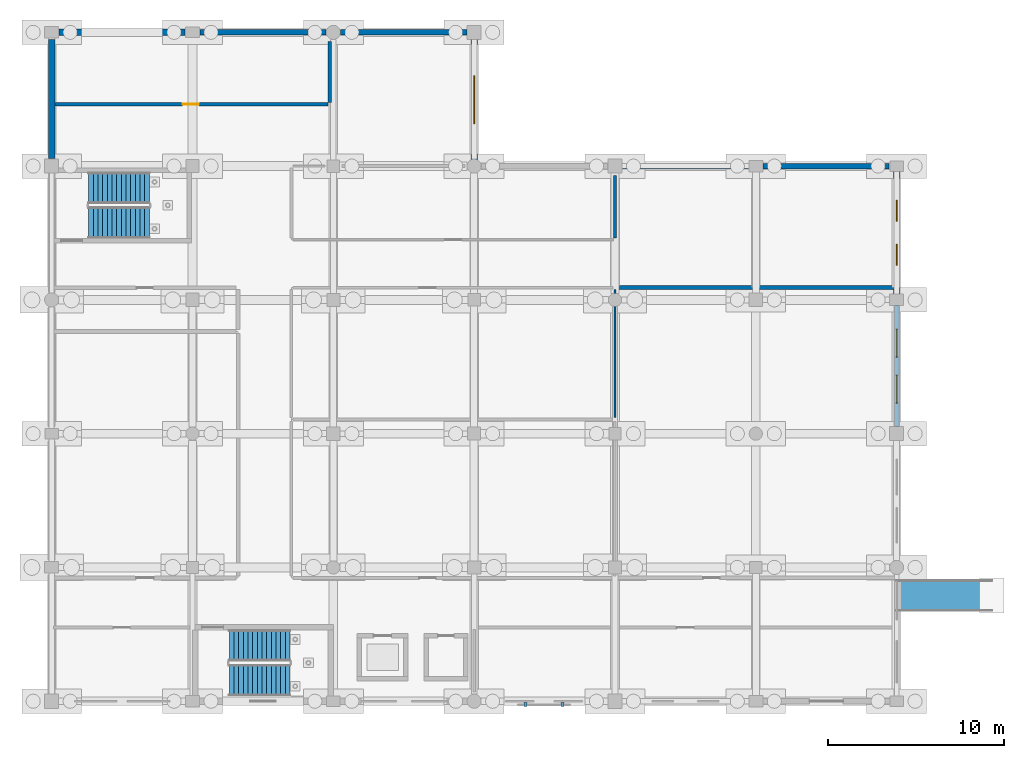
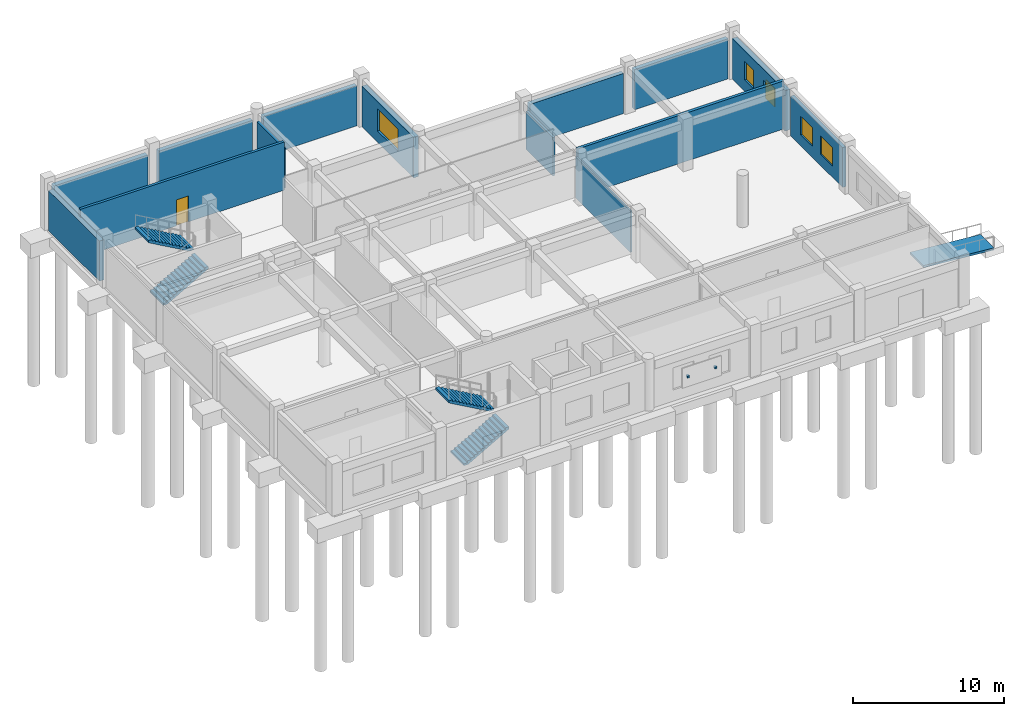
# One storey, part 7 of 11: 14 walls, 5 windows, 4 stair flights, 2 discrete accessories, 1 door, 1 ramp flight, 6 openings, 3 elements without a shape of their own.
"""IFC4 building model written with IfcOpenShell, lengths in metres."""

from ifc_helpers import new_model, si_unit, direction, frame, frame_2d, origin, origin_2d, place, context, subcontext, project, spatial, polyline, rectangle, outline, extrude, material, layer, layer_set, type_object, element, fill, aggregate, save


model = new_model("IFC4")

# Units and contexts
model_context = context("Model", 3, precision=1e-05, world=origin(), true_north=direction((0.0, 1.0)))
body_context = subcontext(model_context, "Body", "Model", "MODEL_VIEW")
ifc_project = project(units=[si_unit("LENGTHUNIT", "METRE"), si_unit("AREAUNIT", "SQUARE_METRE"), si_unit("VOLUMEUNIT", "CUBIC_METRE"), si_unit("PLANEANGLEUNIT", "RADIAN"), si_unit("MASSUNIT", "GRAM", prefix="KILO")], contexts=[model_context])

# Site, building, storey
site_placement = place(None, origin())
site = spatial("IfcSite", under=ifc_project, at=site_placement, CompositionType="ELEMENT")
building_placement = place(site_placement, origin())
building = spatial("IfcBuilding", under=site, at=building_placement, Name="Kharva Crest Polytechnic", CompositionType="ELEMENT")
storey_placement = place(building_placement, frame((0.0, 0.0, -4.199951171875)))
storey = spatial("IfcBuildingStorey", under=building, at=storey_placement, Name="LG", CompositionType="ELEMENT", Elevation=-4.199951171875)

# Wall, openings, windows
ifc_material_1 = material(Name="Kiln brick masonry", Category="masonry")
ifc_layer_1 = layer(ifc_material_1, 0.260009765625, Name="Kiln brick masonry")
ifc_layer_set_1 = layer_set([ifc_layer_1], Name="Kiln brick masonry")
wall_type_1 = type_object("IfcWallType", Name="WL-EXT-BRK-260", PredefinedType="SOLIDWALL", material=ifc_layer_set_1)
wall_1_placement = place(storey_placement, frame((168.800048828125, 15.594970703125, 0.0), z_axis=(0.0, 0.0, 1.0), x_axis=(0.0, 1.0, 0.0)))
wall_1 = element("IfcWall", 1, at=wall_1_placement, inside=storey, type_object=wall_type_1, Name="LG Exterior Brick Wall 10", PredefinedType="SOLIDWALL", context=body_context, shape_type="SweptSolid", body=[
    extrude(rectangle(XDim=6.885009765625, YDim=0.260009765625, at=frame_2d((3.4423828125, 0.0))), origin(), (0.0, 0.0, 1.0), 3.21484375),
])
opening_1_placement = place(wall_1_placement, frame((1.3349609375, 0.0, 0.89990234375)))
opening_1 = element("IfcOpeningElement", 2, at=opening_1_placement, cuts=wall_1, Name="Opening W14", PredefinedType="OPENING", context=body_context, shape_type="SweptSolid", body=[
    extrude(rectangle(XDim=1.60009765625, YDim=1.5, at=frame_2d((0.800048828125, 0.75))), frame((0.0, 0.139892578125, 0.0), z_axis=(0.0, -1.0, 0.0), x_axis=(1.0, 0.0, 0.0)), (0.0, 0.0, 1.0), 0.280029296875),
])
opening_2_placement = place(wall_1_placement, frame((3.949951171875, 0.0, 0.89990234375)))
opening_2 = element("IfcOpeningElement", 3, at=opening_2_placement, cuts=wall_1, Name="Opening W14", PredefinedType="OPENING", context=body_context, shape_type="SweptSolid", body=[
    extrude(rectangle(XDim=1.60009765625, YDim=1.5, at=frame_2d((0.800048828125, 0.75))), frame((0.0, 0.139892578125, 0.0), z_axis=(0.0, -1.0, 0.0), x_axis=(1.0, 0.0, 0.0)), (0.0, 0.0, 1.0), 0.280029296875),
])
ifc_material_2 = material(Name="Anodised aluminium", Category="aluminium")
window_type_1 = type_object("IfcWindowType", Name="WIN-ALU-1600X1500", PartitioningType="SINGLE_PANEL", PredefinedType="WINDOW", material=ifc_material_2)
window_1_placement = place(opening_1_placement, origin())
window_1 = element("IfcWindow", 4, at=window_1_placement, inside=storey, type_object=window_type_1, Name="LG Exterior Window 14", OverallHeight=1.5, OverallWidth=1.60009765625, PartitioningType="SINGLE_PANEL", PredefinedType="WINDOW", context=body_context, shape_type="SweptSolid", body=[
    extrude(rectangle(XDim=1.60009765625, YDim=1.5, at=frame_2d((0.800048828125, 0.75))), frame((0.0, 0.030029296875, 0.0), z_axis=(0.0, -1.0, 0.0), x_axis=(1.0, 0.0, 0.0)), (0.0, 0.0, 1.0), 0.06005859375),
])
fill(opening_1, window_1)
window_2_placement = place(opening_2_placement, origin())
window_2 = element("IfcWindow", 5, at=window_2_placement, inside=storey, type_object=window_type_1, Name="LG Exterior Window 15", OverallHeight=1.5, OverallWidth=1.60009765625, PartitioningType="SINGLE_PANEL", PredefinedType="WINDOW", context=body_context, shape_type="SweptSolid", body=[
    extrude(rectangle(XDim=1.60009765625, YDim=1.5, at=frame_2d((0.800048828125, 0.75))), frame((0.0, 0.030029296875, 0.0), z_axis=(0.0, -1.0, 0.0), x_axis=(1.0, 0.0, 0.0)), (0.0, 0.0, 1.0), 0.06005859375),
])
fill(opening_2, window_2)

# Wall, opening, window
ifc_layer_2 = layer(ifc_material_1, 0.3798828125, Name="Kiln brick masonry")
ifc_layer_set_2 = layer_set([ifc_layer_2], Name="Kiln brick masonry")
wall_type_2 = type_object("IfcWallType", Name="WL-EXT-BRK-380", PredefinedType="SOLIDWALL", material=ifc_layer_set_2)
wall_2_placement = place(storey_placement, frame((144.800048828125, 30.736083984375, 0.0), z_axis=(0.0, 0.0, 1.0), x_axis=(0.0, 1.0, 0.0)))
wall_2 = element("IfcWall", 6, at=wall_2_placement, inside=storey, type_object=wall_type_2, Name="LG Exterior Brick Wall 1", PredefinedType="SOLIDWALL", context=body_context, shape_type="SweptSolid", body=[
    extrude(rectangle(XDim=6.868896484375, YDim=0.3798828125, at=frame_2d((3.4345703125, 0.0))), origin(), (0.0, 0.0, 1.0), 3.27490234375),
])
opening_3_placement = place(wall_2_placement, frame((2.083984375, 0.0, 0.89990234375)))
opening_3 = element("IfcOpeningElement", 7, at=opening_3_placement, cuts=wall_2, Name="Opening W01", PredefinedType="OPENING", context=body_context, shape_type="SweptSolid", body=[
    extrude(rectangle(XDim=2.699951171875, YDim=1.800048828125, at=frame_2d((1.35009765625, 0.89990234375))), frame((0.0, 0.199951171875, 0.0), z_axis=(0.0, -1.0, 0.0), x_axis=(1.0, 0.0, 0.0)), (0.0, 0.0, 1.0), 0.39990234375),
])
window_type_2 = type_object("IfcWindowType", Name="WIN-ALU-2700X1800", PartitioningType="SINGLE_PANEL", PredefinedType="WINDOW", material=ifc_material_2)
window_3_placement = place(opening_3_placement, origin())
window_3 = element("IfcWindow", 8, at=window_3_placement, inside=storey, type_object=window_type_2, Name="LG Exterior Window 1", OverallHeight=1.800048828125, OverallWidth=2.699951171875, PartitioningType="SINGLE_PANEL", PredefinedType="WINDOW", context=body_context, shape_type="SweptSolid", body=[
    extrude(rectangle(XDim=2.699951171875, YDim=1.800048828125, at=frame_2d((1.35009765625, 0.89990234375))), frame((0.0, 0.030029296875, 0.0), z_axis=(0.0, -1.0, 0.0), x_axis=(1.0, 0.0, 0.0)), (0.0, 0.0, 1.0), 0.06005859375),
])
fill(opening_3, window_3)

# Wall, openings, windows
wall_3_placement = place(storey_placement, frame((168.800048828125, 23.1201171875, 0.0), z_axis=(0.0, 0.0, 1.0), x_axis=(0.0, 1.0, 0.0)))
wall_3 = element("IfcWall", 9, at=wall_3_placement, inside=storey, type_object=wall_type_2, Name="LG Exterior Brick Wall 11", PredefinedType="SOLIDWALL", context=body_context, shape_type="SweptSolid", body=[
    extrude(rectangle(XDim=6.98486328125, YDim=0.3798828125, at=frame_2d((3.492431640625, 0.0))), origin(), (0.0, 0.0, 1.0), 3.27490234375),
])
opening_4_placement = place(wall_3_placement, frame((1.635009765625, 0.0, 0.89990234375)))
opening_4 = element("IfcOpeningElement", 10, at=opening_4_placement, cuts=wall_3, Name="Opening W16", PredefinedType="OPENING", context=body_context, shape_type="SweptSolid", body=[
    extrude(rectangle(XDim=1.199951171875, YDim=1.5, at=frame_2d((0.60009765625, 0.75))), frame((0.0, 0.199951171875, 0.0), z_axis=(0.0, -1.0, 0.0), x_axis=(1.0, 0.0, 0.0)), (0.0, 0.0, 1.0), 0.39990234375),
])
opening_5_placement = place(wall_3_placement, frame((4.14990234375, 0.0, 0.89990234375)))
opening_5 = element("IfcOpeningElement", 11, at=opening_5_placement, cuts=wall_3, Name="Opening W16", PredefinedType="OPENING", context=body_context, shape_type="SweptSolid", body=[
    extrude(rectangle(XDim=1.199951171875, YDim=1.5, at=frame_2d((0.60009765625, 0.75))), frame((0.0, 0.199951171875, 0.0), z_axis=(0.0, -1.0, 0.0), x_axis=(1.0, 0.0, 0.0)), (0.0, 0.0, 1.0), 0.39990234375),
])
window_type_3 = type_object("IfcWindowType", Name="WIN-ALU-1200X1500", PartitioningType="SINGLE_PANEL", PredefinedType="WINDOW", material=ifc_material_2)
window_4_placement = place(opening_4_placement, origin())
window_4 = element("IfcWindow", 12, at=window_4_placement, inside=storey, type_object=window_type_3, Name="LG Exterior Window 16", OverallHeight=1.5, OverallWidth=1.199951171875, PartitioningType="SINGLE_PANEL", PredefinedType="WINDOW", context=body_context, shape_type="SweptSolid", body=[
    extrude(rectangle(XDim=1.199951171875, YDim=1.5, at=frame_2d((0.60009765625, 0.75))), frame((0.0, 0.030029296875, 0.0), z_axis=(0.0, -1.0, 0.0), x_axis=(1.0, 0.0, 0.0)), (0.0, 0.0, 1.0), 0.06005859375),
])
fill(opening_4, window_4)
window_5_placement = place(opening_5_placement, origin())
window_5 = element("IfcWindow", 13, at=window_5_placement, inside=storey, type_object=window_type_3, Name="LG Exterior Window 17", OverallHeight=1.5, OverallWidth=1.199951171875, PartitioningType="SINGLE_PANEL", PredefinedType="WINDOW", context=body_context, shape_type="SweptSolid", body=[
    extrude(rectangle(XDim=1.199951171875, YDim=1.5, at=frame_2d((0.60009765625, 0.75))), frame((0.0, 0.030029296875, 0.0), z_axis=(0.0, -1.0, 0.0), x_axis=(1.0, 0.0, 0.0)), (0.0, 0.0, 1.0), 0.06005859375),
])
fill(opening_5, window_5)

# Wall, opening, door
ifc_layer_3 = layer(ifc_material_1, 0.199951171875, Name="Kiln brick masonry")
ifc_layer_set_3 = layer_set([ifc_layer_3], Name="Kiln brick masonry")
wall_type_3 = type_object("IfcWallType", Name="WL-FIRE-FW1-200", PredefinedType="SOLIDWALL", material=ifc_layer_set_3)
wall_4_placement = place(storey_placement, frame((120.909912109375, 33.909912109375, 0.0), z_axis=(0.0, 0.0, 1.0), x_axis=(1.0, 0.0, 0.0)))
wall_4 = element("IfcWall", 14, at=wall_4_placement, inside=storey, type_object=wall_type_3, Name="LG Interior Partition 9", PredefinedType="SOLIDWALL", context=body_context, shape_type="SweptSolid", body=[
    extrude(rectangle(XDim=15.580078125, YDim=0.199951171875, at=frame_2d((7.7900390625, 0.0))), origin(), (0.0, 0.0, 1.0), 3.89990234375),
])
opening_6_placement = place(wall_4_placement, frame((7.330078125, 0.0, 0.0)))
opening_6 = element("IfcOpeningElement", 15, at=opening_6_placement, cuts=wall_4, Name="Opening ID16", PredefinedType="OPENING", context=body_context, shape_type="SweptSolid", body=[
    extrude(rectangle(XDim=0.919921875, YDim=2.10009765625, at=frame_2d((0.4599609375, 1.050048828125))), frame((0.0, 0.10986328125, 0.0), z_axis=(0.0, -1.0, 0.0), x_axis=(1.0, 0.0, 0.0)), (0.0, 0.0, 1.0), 0.219970703125),
])
ifc_material_3 = material(Name="Teak timber", Category="wood")
door_type = type_object("IfcDoorType", Name="DR-STR-920X2100", OperationType="NOTDEFINED", PredefinedType="DOOR", material=ifc_material_3)
door_placement = place(opening_6_placement, origin())
door = element("IfcDoor", 16, at=door_placement, inside=storey, type_object=door_type, Name="LG Electrical Substation Door", OperationType="SINGLE_SWING_RIGHT", OverallHeight=2.10009765625, OverallWidth=0.919921875, PredefinedType="DOOR", context=body_context, shape_type="SweptSolid", body=[
    extrude(rectangle(XDim=0.919921875, YDim=2.10009765625, at=frame_2d((0.4599609375, 1.050048828125))), frame((0.0, 0.02490234375, 0.0), z_axis=(0.0, -1.0, 0.0), x_axis=(1.0, 0.0, 0.0)), (0.0, 0.0, 1.0), 0.050048828125),
])
fill(opening_6, door)

# Walls
ifc_layer_4 = layer(ifc_material_1, 0.110107421875, Name="Kiln brick masonry")
ifc_layer_set_4 = layer_set([ifc_layer_4], Name="Kiln brick masonry")
wall_type_4 = type_object("IfcWallType", Name="WL-PART-110", PredefinedType="PARTITIONING", material=ifc_layer_set_4)
wall_5_placement = place(storey_placement, frame((152.800048828125, 16.1201171875, 0.0), z_axis=(0.0, 0.0, 1.0), x_axis=(0.0, 1.0, 0.0)))
element("IfcWall", 17, at=wall_5_placement, inside=storey, type_object=wall_type_4, Name="LG Interior Partition 17", PredefinedType="PARTITIONING", context=body_context, shape_type="SweptSolid", body=[
    extrude(rectangle(XDim=7.259765625, YDim=0.110107421875, at=frame_2d((3.6298828125, 0.0))), origin(), (0.0, 0.0, 1.0), 3.344970703125),
])
ifc_layer_5 = layer(ifc_material_1, 0.159912109375, Name="Kiln brick masonry")
ifc_layer_set_5 = layer_set([ifc_layer_5], Name="Kiln brick masonry")
wall_type_5 = type_object("IfcWallType", Name="WL-PART-160", PredefinedType="PARTITIONING", material=ifc_layer_set_5)
wall_6_placement = place(storey_placement, frame((152.800048828125, 26.320068359375, 0.0), z_axis=(0.0, 0.0, 1.0), x_axis=(0.0, 1.0, 0.0)))
element("IfcWall", 18, at=wall_6_placement, inside=storey, type_object=wall_type_5, Name="LG Interior Partition 22", PredefinedType="PARTITIONING", context=body_context, shape_type="SweptSolid", body=[
    extrude(rectangle(XDim=3.550048828125, YDim=0.159912109375, at=frame_2d((1.77490234375, 0.0))), origin(), (0.0, 0.0, 1.0), 3.114990234375),
])
ifc_layer_6 = layer(ifc_material_1, 0.205078125, Name="Kiln brick masonry")
ifc_layer_set_6 = layer_set([ifc_layer_6], Name="Kiln brick masonry")
wall_type_6 = type_object("IfcWallType", Name="WL-PART-205", PredefinedType="PARTITIONING", material=ifc_layer_set_6)
wall_7_placement = place(storey_placement, frame((136.60009765625, 34.02001953125, 0.0), z_axis=(0.0, 0.0, 1.0), x_axis=(0.0, 1.0, 0.0)))
element("IfcWall", 19, at=wall_7_placement, inside=storey, type_object=wall_type_6, Name="LG Interior Partition 10", PredefinedType="PARTITIONING", context=body_context, shape_type="SweptSolid", body=[
    extrude(rectangle(XDim=3.449951171875, YDim=0.205078125, at=frame_2d((1.72509765625, 0.0))), origin(), (0.0, 0.0, 1.0), 3.31494140625),
])
ifc_layer_7 = layer(ifc_material_1, 0.22509765625, Name="Kiln brick masonry")
ifc_layer_set_7 = layer_set([ifc_layer_7], Name="Kiln brick masonry")
wall_type_7 = type_object("IfcWallType", Name="WL-PART-225", PredefinedType="PARTITIONING", material=ifc_layer_set_7)
wall_8_placement = place(storey_placement, frame((152.9189453125, 23.5, 0.0), z_axis=(0.0, 0.0, 1.0), x_axis=(1.0, 0.0, 0.0)))
element("IfcWall", 20, at=wall_8_placement, inside=storey, type_object=wall_type_7, Name="LG Interior Partition 24", PredefinedType="PARTITIONING", context=body_context, shape_type="SweptSolid", body=[
    extrude(rectangle(XDim=15.77099609375, YDim=0.22509765625, at=frame_2d((7.885498046875, 0.0))), origin(), (0.0, 0.0, 1.0), 3.89990234375),
])
ifc_material_4 = material(Name="Concrete C35/45", Category="concrete")
ifc_layer_8 = layer(ifc_material_4, 0.320068359375, Name="Concrete C35/45")
ifc_layer_set_8 = layer_set([ifc_layer_8], Name="Concrete C35/45")
wall_type_8 = type_object("IfcWallType", Name="WL-RET-320", PredefinedType="USERDEFINED", material=ifc_layer_set_8)
for number, where, z_axis, x_axis, name in (
    (21, (129.219970703125, 38.0, 0.0), (0.0, 0.0, 1.0), (1.0, 0.0, 0.0), "LG Escarpment Retaining Wall 7"),
    (22, (137.219970703125, 38.0, 0.0), (0.0, 0.0, 1.0), (1.0, 0.0, 0.0), "LG Escarpment Retaining Wall 8"),
    (23, (153.219970703125, 30.39990234375, 0.0), (0.0, 0.0, 1.0), (1.0, 0.0, 0.0), "LG Escarpment Retaining Wall 10"),
    (24, (161.219970703125, 30.39990234375, 0.0), (0.0, 0.0, 1.0), (1.0, 0.0, 0.0), "LG Escarpment Retaining Wall 11"),
):
    element("IfcWall", number, at=place(storey_placement, frame(where, z_axis=z_axis, x_axis=x_axis)), inside=storey, type_object=wall_type_8, Name=name, ObjectType="RETAINING WALL", PredefinedType="USERDEFINED", context=body_context, shape_type="SweptSolid", body=[
        extrude(rectangle(XDim=7.159912109375, YDim=0.320068359375, at=frame_2d((3.580078125, 0.0))), origin(), (0.0, 0.0, 1.0), 3.25),
    ])
ifc_layer_9 = layer(ifc_material_4, 0.35009765625, Name="Concrete C35/45")
ifc_layer_set_9 = layer_set([ifc_layer_9], Name="Concrete C35/45")
wall_type_9 = type_object("IfcWallType", Name="WL-RET-350", PredefinedType="USERDEFINED", material=ifc_layer_set_9)
wall_9_placement = place(storey_placement, frame((120.800048828125, 30.820068359375, 0.0), z_axis=(0.0, 0.0, 1.0), x_axis=(0.0, 1.0, 0.0)))
element("IfcWall", 25, at=wall_9_placement, inside=storey, type_object=wall_type_9, Name="LG Escarpment Retaining Wall 5", ObjectType="RETAINING WALL", PredefinedType="USERDEFINED", context=body_context, shape_type="SweptSolid", body=[
    extrude(rectangle(XDim=6.760009765625, YDim=0.35009765625, at=frame_2d((3.3798828125, 0.0))), origin(), (0.0, 0.0, 1.0), 3.25),
])
wall_10_placement = place(storey_placement, frame((121.219970703125, 38.0, 0.0), z_axis=(0.0, 0.0, 1.0), x_axis=(1.0, 0.0, 0.0)))
element("IfcWall", 26, at=wall_10_placement, inside=storey, type_object=wall_type_9, Name="LG Escarpment Retaining Wall 6", ObjectType="RETAINING WALL", PredefinedType="USERDEFINED", context=body_context, shape_type="SweptSolid", body=[
    extrude(rectangle(XDim=7.159912109375, YDim=0.35009765625, at=frame_2d((3.580078125, 0.0))), origin(), (0.0, 0.0, 1.0), 3.25),
])

# Stair, stair flights
stair_type_1 = type_object("IfcStairType", Name="STR-DOGLEG-1780", PredefinedType="TWO_STRAIGHT_RUN_STAIR", material=ifc_material_4)
stair_1_placement = place(storey_placement, origin())
stair_1 = element("IfcStair", 27, at=stair_1_placement, inside=storey, type_object=stair_type_1, Name="LG South-East Refectory Escarpment Core C6", PredefinedType="TWO_STRAIGHT_RUN_STAIR")
stair_flight_type_1 = type_object("IfcStairFlightType", Name="STF-RC-1780", PredefinedType="STRAIGHT", material=ifc_material_4)
stair_flight_1_placement = place(storey_placement, frame((130.889892578125, 1.18994140625, 0.0), z_axis=(0.0, 0.0, 1.0), x_axis=(1.0, 0.0, 0.0)))
stair_flight_1 = element("IfcStairFlight", 28, at=stair_flight_1_placement, type_object=stair_flight_type_1, Name="ST-06 flight 1", NumberOfRisers=14, NumberOfTreads=13, PredefinedType="STRAIGHT", RiserHeight=0.15, TreadLength=0.265, context=body_context, shape_type="SweptSolid", body=[
    extrude(outline(polyline([(0.0, 0.0), (0.0, 0.14990234375), (0.264892578125, 0.14990234375), (0.264892578125, 0.300048828125), (0.530029296875, 0.300048828125), (0.530029296875, 0.449951171875), (0.794921875, 0.449951171875), (0.794921875, 0.60009765625), (1.06005859375, 0.60009765625), (1.06005859375, 0.75), (1.324951171875, 0.75), (1.324951171875, 0.89990234375), (1.590087890625, 0.89990234375), (1.590087890625, 1.050048828125), (1.85498046875, 1.050048828125), (1.85498046875, 1.199951171875), (2.1201171875, 1.199951171875), (2.1201171875, 1.35009765625), (2.385009765625, 1.35009765625), (2.385009765625, 1.5), (2.64990234375, 1.5), (2.64990234375, 1.64990234375), (2.9150390625, 1.64990234375), (2.9150390625, 1.800048828125), (3.179931640625, 1.800048828125), (3.179931640625, 1.949951171875), (3.445068359375, 1.949951171875), (3.445068359375, 2.10009765625), (3.445068359375, 1.766357421875), (0.32470703125, 0.0), (0.0, 0.0)])), frame((0.0, 0.89013671875, 0.0), z_axis=(0.0, -1.0, 0.0), x_axis=(1.0, 0.0, 0.0)), (0.0, 0.0, 1.0), 1.780029296875),
])
stair_flight_2_placement = place(storey_placement, frame((134.3349609375, 3.169921875, 2.099853515625), z_axis=(0.0, 0.0, 1.0), x_axis=(-1.0, 0.0, 0.0)))
stair_flight_2 = element("IfcStairFlight", 29, at=stair_flight_2_placement, type_object=stair_flight_type_1, Name="ST-06 flight 2", NumberOfRisers=14, NumberOfTreads=13, PredefinedType="STRAIGHT", RiserHeight=0.15, TreadLength=0.265, context=body_context, shape_type="SweptSolid", body=[
    extrude(outline(polyline([(0.0, 0.0), (0.0, 0.14990234375), (0.264892578125, 0.14990234375), (0.264892578125, 0.300048828125), (0.530029296875, 0.300048828125), (0.530029296875, 0.449951171875), (0.794921875, 0.449951171875), (0.794921875, 0.60009765625), (1.06005859375, 0.60009765625), (1.06005859375, 0.75), (1.324951171875, 0.75), (1.324951171875, 0.89990234375), (1.590087890625, 0.89990234375), (1.590087890625, 1.050048828125), (1.85498046875, 1.050048828125), (1.85498046875, 1.199951171875), (2.1201171875, 1.199951171875), (2.1201171875, 1.35009765625), (2.385009765625, 1.35009765625), (2.385009765625, 1.5), (2.64990234375, 1.5), (2.64990234375, 1.64990234375), (2.9150390625, 1.64990234375), (2.9150390625, 1.800048828125), (3.179931640625, 1.800048828125), (3.179931640625, 1.949951171875), (3.445068359375, 1.949951171875), (3.445068359375, 2.10009765625), (3.445068359375, 1.766357421875), (0.32470703125, 0.0), (0.0, 0.0)])), frame((0.0, 0.89013671875, 0.0), z_axis=(0.0, -1.0, 0.0), x_axis=(1.0, 0.0, 0.0)), (0.0, 0.0, 1.0), 1.780029296875),
])
aggregate(stair_1, [stair_flight_1, stair_flight_2])

stair_type_2 = type_object("IfcStairType", Name="STR-DOGLEG-1790", PredefinedType="TWO_STRAIGHT_RUN_STAIR", material=ifc_material_4)
stair_2_placement = place(storey_placement, origin())
stair_2 = element("IfcStair", 30, at=stair_2_placement, inside=storey, type_object=stair_type_2, Name="LG South-East Escarpment Secondary Stair C7", PredefinedType="TWO_STRAIGHT_RUN_STAIR")
stair_flight_type_2 = type_object("IfcStairFlightType", Name="STF-RC-1790", PredefinedType="STRAIGHT", material=ifc_material_4)
stair_flight_3_placement = place(storey_placement, frame((122.89990234375, 27.18505859375, 0.0), z_axis=(0.0, 0.0, 1.0), x_axis=(1.0, 0.0, 0.0)))
stair_flight_3 = element("IfcStairFlight", 31, at=stair_flight_3_placement, type_object=stair_flight_type_2, Name="ST-07 flight 1", NumberOfRisers=14, NumberOfTreads=13, PredefinedType="STRAIGHT", RiserHeight=0.15, TreadLength=0.265, context=body_context, shape_type="SweptSolid", body=[
    extrude(outline(polyline([(0.0, 0.0), (0.0, 0.14990234375), (0.264892578125, 0.14990234375), (0.264892578125, 0.300048828125), (0.530029296875, 0.300048828125), (0.530029296875, 0.449951171875), (0.794921875, 0.449951171875), (0.794921875, 0.60009765625), (1.06005859375, 0.60009765625), (1.06005859375, 0.75), (1.324951171875, 0.75), (1.324951171875, 0.89990234375), (1.590087890625, 0.89990234375), (1.590087890625, 1.050048828125), (1.85498046875, 1.050048828125), (1.85498046875, 1.199951171875), (2.1201171875, 1.199951171875), (2.1201171875, 1.35009765625), (2.385009765625, 1.35009765625), (2.385009765625, 1.5), (2.64990234375, 1.5), (2.64990234375, 1.64990234375), (2.9150390625, 1.64990234375), (2.9150390625, 1.800048828125), (3.179931640625, 1.800048828125), (3.179931640625, 1.949951171875), (3.445068359375, 1.949951171875), (3.445068359375, 2.10009765625), (3.445068359375, 1.766357421875), (0.32470703125, 0.0), (0.0, 0.0)])), frame((0.0, 0.89501953125, 0.0), z_axis=(0.0, -1.0, 0.0), x_axis=(1.0, 0.0, 0.0)), (0.0, 0.0, 1.0), 1.7900390625),
])
stair_flight_4_placement = place(storey_placement, frame((126.344970703125, 29.155029296875, 2.099853515625), z_axis=(0.0, 0.0, 1.0), x_axis=(-1.0, 0.0, 0.0)))
stair_flight_4 = element("IfcStairFlight", 32, at=stair_flight_4_placement, type_object=stair_flight_type_2, Name="ST-07 flight 2", NumberOfRisers=14, NumberOfTreads=13, PredefinedType="STRAIGHT", RiserHeight=0.15, TreadLength=0.265, context=body_context, shape_type="SweptSolid", body=[
    extrude(outline(polyline([(0.0, 0.0), (0.0, 0.14990234375), (0.264892578125, 0.14990234375), (0.264892578125, 0.300048828125), (0.530029296875, 0.300048828125), (0.530029296875, 0.449951171875), (0.794921875, 0.449951171875), (0.794921875, 0.60009765625), (1.06005859375, 0.60009765625), (1.06005859375, 0.75), (1.324951171875, 0.75), (1.324951171875, 0.89990234375), (1.590087890625, 0.89990234375), (1.590087890625, 1.050048828125), (1.85498046875, 1.050048828125), (1.85498046875, 1.199951171875), (2.1201171875, 1.199951171875), (2.1201171875, 1.35009765625), (2.385009765625, 1.35009765625), (2.385009765625, 1.5), (2.64990234375, 1.5), (2.64990234375, 1.64990234375), (2.9150390625, 1.64990234375), (2.9150390625, 1.800048828125), (3.179931640625, 1.800048828125), (3.179931640625, 1.949951171875), (3.445068359375, 1.949951171875), (3.445068359375, 2.10009765625), (3.445068359375, 1.766357421875), (0.32470703125, 0.0), (0.0, 0.0)])), frame((0.0, 0.89501953125, 0.0), z_axis=(0.0, -1.0, 0.0), x_axis=(1.0, 0.0, 0.0)), (0.0, 0.0, 1.0), 1.7900390625),
])
aggregate(stair_2, [stair_flight_3, stair_flight_4])

# Ramp, ramp flight
ramp_type = type_object("IfcRampType", Name="RMP-ACC-1800", PredefinedType="STRAIGHT_RUN_RAMP", material=ifc_material_4)
ramp_placement = place(storey_placement, origin())
ramp = element("IfcRamp", 33, at=ramp_placement, inside=storey, type_object=ramp_type, Name="Lower Escarpment Refectory Accessible Ramp", PredefinedType="STRAIGHT_RUN_RAMP")
ifc_layer_10 = layer(ifc_material_4, 0.179931640625, Name="Concrete C35/45")
ifc_layer_set_10 = layer_set([ifc_layer_10], Name="Concrete C35/45")
ramp_flight_type = type_object("IfcRampFlightType", Name="RMF-ACC-1800", PredefinedType="STRAIGHT", material=ifc_layer_set_10)
ramp_flight_placement = place(storey_placement, frame((174.199951171875, 6.0, -0.449951171875), z_axis=(0.0, 0.0, 1.0), x_axis=(-1.0, 0.0, 0.0)))
ramp_flight = element("IfcRampFlight", 34, at=ramp_flight_placement, type_object=ramp_flight_type, Name="Lower Escarpment Refectory Accessible Ramp Flight", PredefinedType="STRAIGHT", context=body_context, shape_type="SweptSolid", body=[
    extrude(outline(polyline([(0.0, 0.0), (5.39990234375, 0.449951171875), (5.39990234375, 0.26953125), (0.0, -0.1806640625), (0.0, 0.0)])), frame((0.0, 0.89990234375, 0.0), z_axis=(0.0, -1.0, 0.0), x_axis=(1.0, 0.0, 0.0)), (0.0, 0.0, 1.0), 1.800048828125),
])
aggregate(ramp, [ramp_flight])

# Discrete accessories
discrete_accessory_type = type_object("IfcDiscreteAccessoryType", Name="ACC-BRK-JAALI", PredefinedType="BRACKET", material=ifc_material_2)
for number, where, z_axis, x_axis, name in (
    (35, (147.720458984375, -0.1875, 1.56982421875), (0.0, 0.0, 1.0), (1.0, 0.0, 0.0), "LG Jaali Screen Bracket 1.1"),
    (36, (149.820556640625, -0.1875, 1.56982421875), (0.0, 0.0, 1.0), (1.0, 0.0, 0.0), "LG Jaali Screen Bracket 1.2"),
):
    element("IfcDiscreteAccessory", number, at=place(storey_placement, frame(where, z_axis=z_axis, x_axis=x_axis)), inside=storey, type_object=discrete_accessory_type, Name=name, PredefinedType="BRACKET", context=body_context, shape_type="SweptSolid", body=[
        extrude(rectangle(XDim=0.159912109375, YDim=0.239990234375, at=origin_2d()), origin(), (0.0, 0.0, 1.0), 0.159912109375),
    ])

save(model, "model.ifc")
